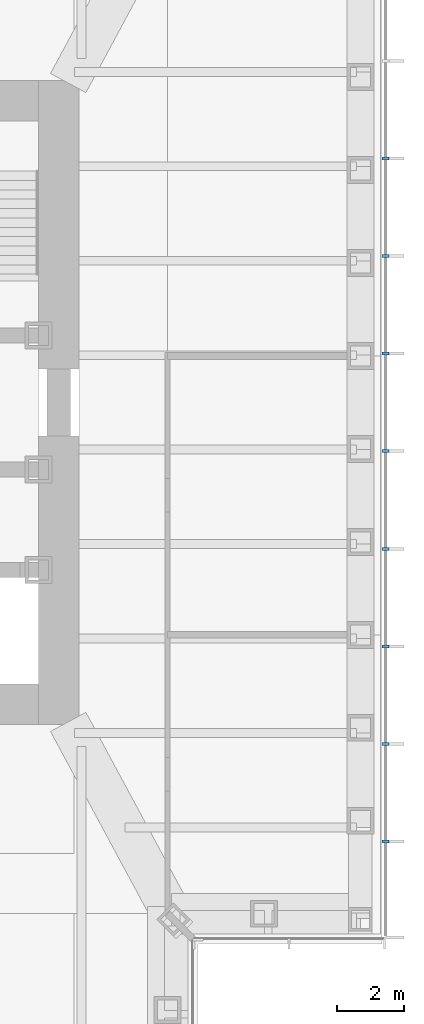
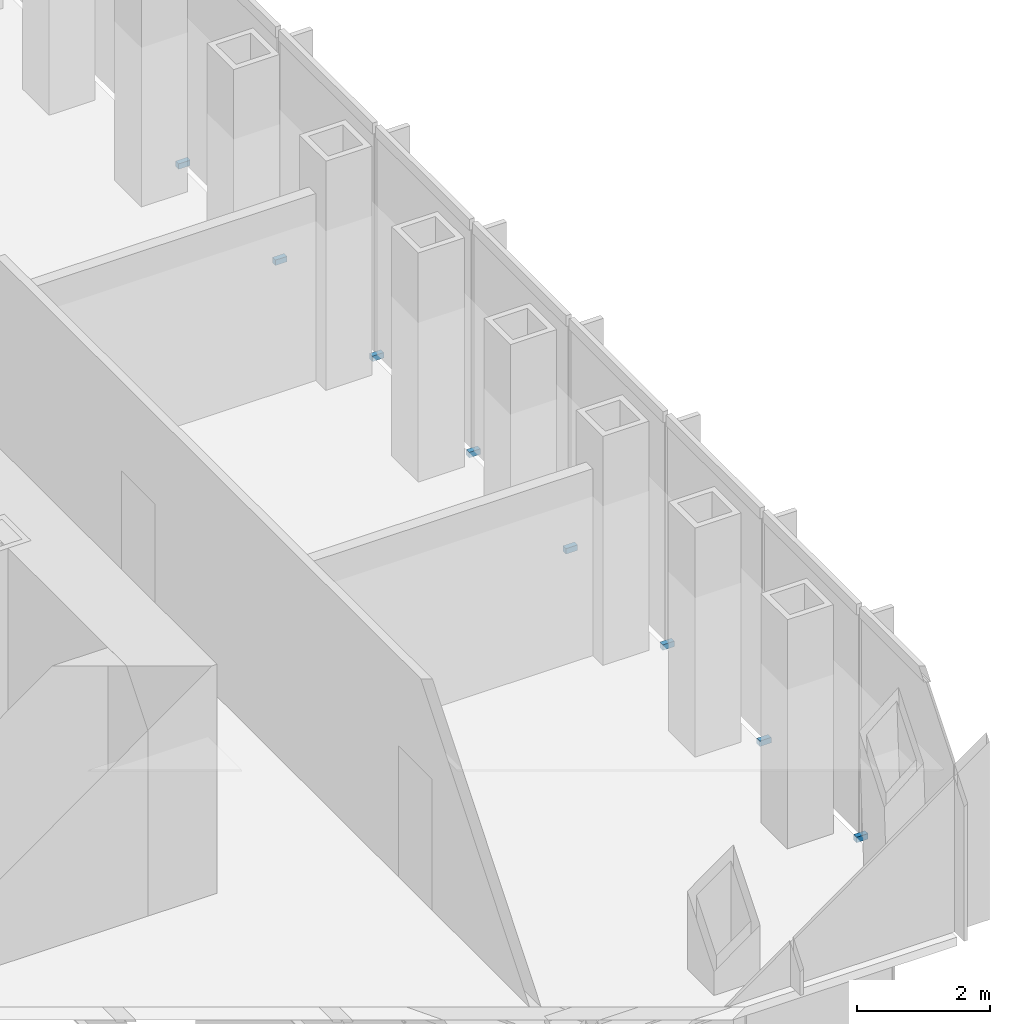
# One storey, part 12 of 14: 8 discrete accessories.
"""IFC4 building model written with IfcOpenShell, lengths in metres."""

from ifc_helpers import new_model, si_unit, direction, frame, origin, origin_2d, place, context, subcontext, project, spatial, rectangle, extrude, element, save


model = new_model("IFC4")

# Units and contexts
model_context = context("Model", 3, precision=1e-05, world=origin(), true_north=direction((0.0, 1.0)))
body_context = subcontext(model_context, "Body", "Model", "MODEL_VIEW")
ifc_project = project(units=[si_unit("LENGTHUNIT", "METRE"), si_unit("AREAUNIT", "SQUARE_METRE"), si_unit("VOLUMEUNIT", "CUBIC_METRE"), si_unit("PLANEANGLEUNIT", "RADIAN"), si_unit("MASSUNIT", "GRAM", prefix="KILO")], contexts=[model_context])

# Site, building, storey
site_placement = place(None, origin())
site = spatial("IfcSite", under=ifc_project, at=site_placement, CompositionType="ELEMENT")
building_placement = place(site_placement, origin())
building = spatial("IfcBuilding", under=site, at=building_placement, Name="Daluyong Arena Tower", CompositionType="ELEMENT")
storey_placement = place(building_placement, frame((0.0, 0.0, 250.300048828125)))
storey = spatial("IfcBuildingStorey", under=building, at=storey_placement, Name="L56", CompositionType="ELEMENT", Elevation=250.300048828125)

# Discrete accessories
for number, where, z_axis, x_axis, name in (
    (1, (77.75, 66.9091796875, -0.10009765625), (0.0, 0.0, 1.0), (0.0, 1.0, 0.0), "curtain wall L56 E anchor bracket 2"),
    (2, (77.75, 69.818115234375, -0.10009765625), (0.0, 0.0, 1.0), (0.0, 1.0, 0.0), "curtain wall L56 E anchor bracket 3"),
    (3, (77.75, 72.727294921875, -0.10009765625), (0.0, 0.0, 1.0), (0.0, 1.0, 0.0), "curtain wall L56 E anchor bracket 4"),
    (4, (77.75, 75.636474609375, -0.10009765625), (0.0, 0.0, 1.0), (0.0, 1.0, 0.0), "curtain wall L56 E anchor bracket 5"),
    (5, (77.75, 78.54541015625, -0.10009765625), (0.0, 0.0, 1.0), (0.0, 1.0, 0.0), "curtain wall L56 E anchor bracket 6"),
    (6, (77.75, 81.45458984375, -0.10009765625), (0.0, 0.0, 1.0), (0.0, 1.0, 0.0), "curtain wall L56 E anchor bracket 7"),
    (7, (77.75, 84.363525390625, -0.10009765625), (0.0, 0.0, 1.0), (0.0, 1.0, 0.0), "curtain wall L56 E anchor bracket 8"),
    (8, (77.75, 87.272705078125, -0.10009765625), (0.0, 0.0, 1.0), (0.0, 1.0, 0.0), "curtain wall L56 E anchor bracket 9"),
):
    element("IfcDiscreteAccessory", number, at=place(storey_placement, frame(where, z_axis=z_axis, x_axis=x_axis)), inside=storey, Name=name, PredefinedType="BRACKET", context=body_context, shape_type="SweptSolid", body=[
        extrude(rectangle(XDim=0.090087890625, YDim=0.199951171875, at=origin_2d()), origin(), (0.0, 0.0, 1.0), 0.10009765625),
    ])

save(model, "model.ifc")
